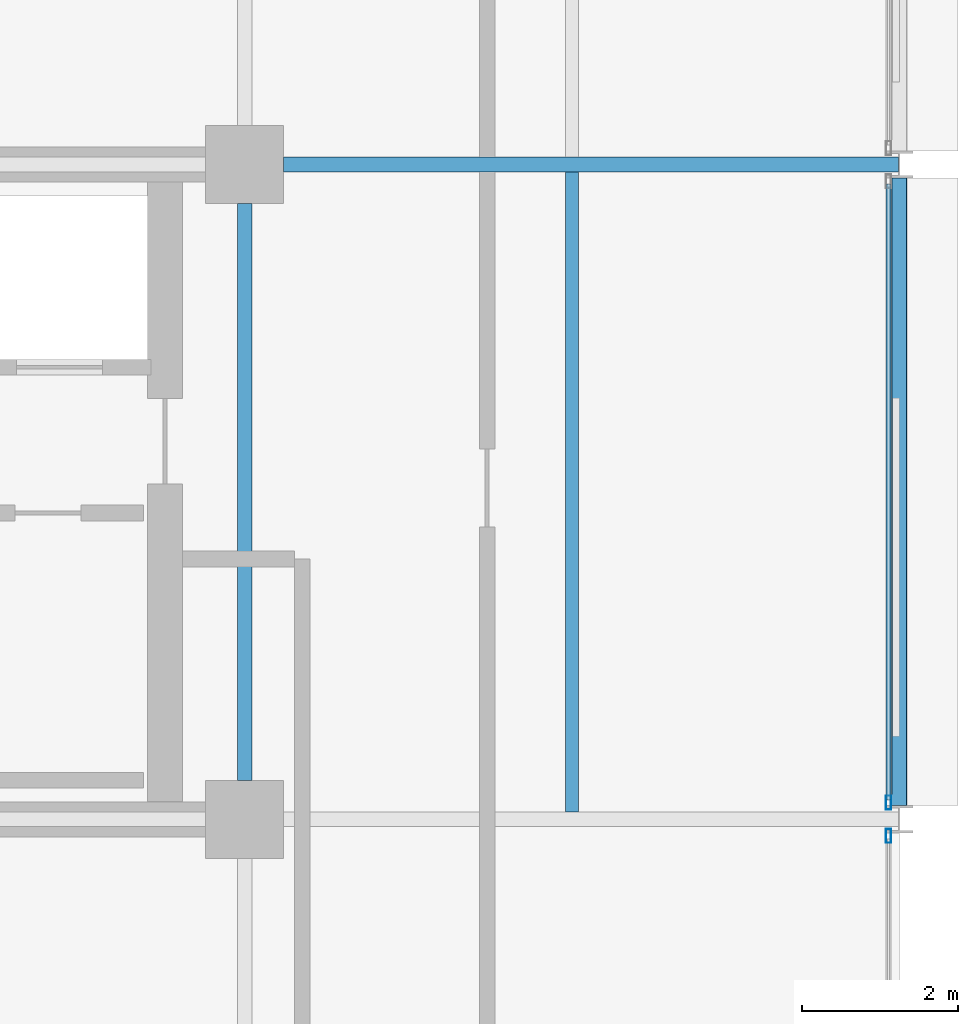
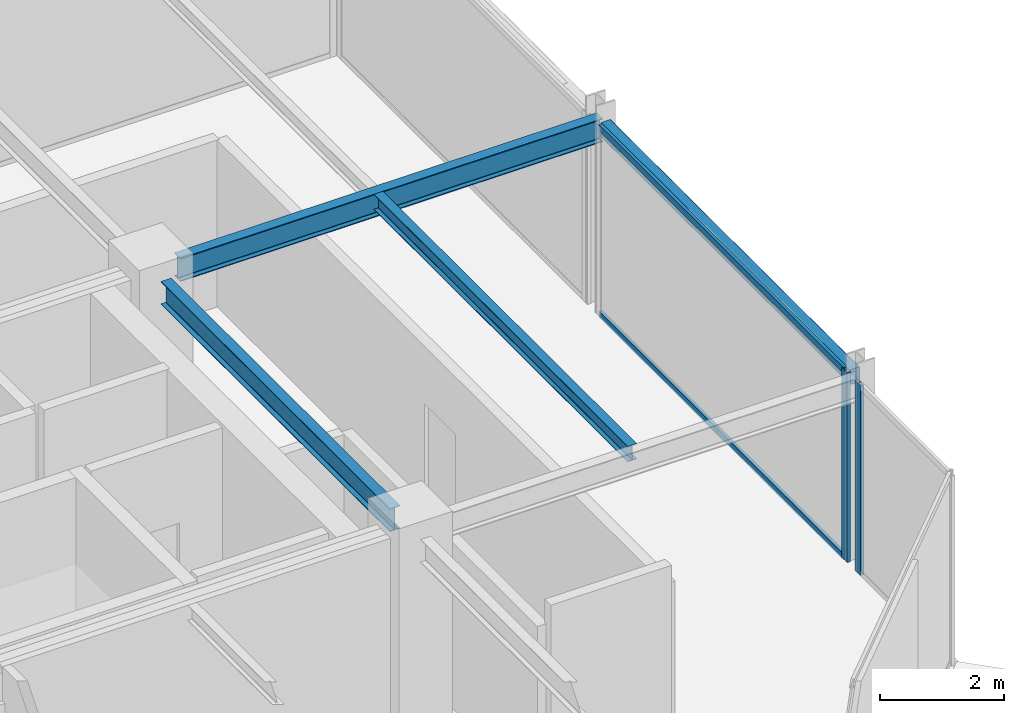
# One storey, part 14 of 26: 4 beams, 4 members, 2 elements without a shape of their own.
"""IFC4 building model written with IfcOpenShell, lengths in metres."""

import ifcopenshell
import ifcopenshell.guid

model = None  # the IFC model being written
_history = None  # IfcOwnerHistory: only IFC2X3 demands one
_inside = {}  # id of a spatial element -> (the spatial element, [elements in it])
_under = {}  # id of a project, library or spatial element -> (it, [spatial elements below it])
_declared = {}  # id of a project -> (the project, [libraries it declares])
_typed = {}  # id of a type object -> (the type object, [elements of that type])
_made_of = {}  # id of a material, layer set ... -> (it, [elements and type objects made of it])


def new_model(schema):
    """Start an empty IFC model of exactly this schema.

    Asked for "IFC4X3", IfcOpenShell would pick the latest addendum, in which some entities
    have other attributes; the version numbers below select the first issue.
    IFC2X3 requires an IfcOwnerHistory on every rooted entity: one is made here for all.
    """
    global model, _history
    if schema == "IFC4X3":
        model = ifcopenshell.file(schema_version=(4, 3, 0, 0))
    else:
        model = ifcopenshell.file(schema=schema)
    _inside.clear()
    _under.clear()
    _declared.clear()
    _typed.clear()
    _made_of.clear()
    _history = None
    if model.schema == "IFC2X3":
        org = make("IfcOrganization", Name="unknown")
        user = make(
            "IfcPersonAndOrganization",
            ThePerson=make("IfcPerson", FamilyName="unknown"),
            TheOrganization=org,
        )
        app = make(
            "IfcApplication",
            ApplicationDeveloper=org,
            Version="unknown",
            ApplicationFullName="unknown",
            ApplicationIdentifier="unknown",
        )
        _history = make(
            "IfcOwnerHistory",
            OwningUser=user,
            OwningApplication=app,
            ChangeAction="ADDED",
            CreationDate=0,
        )
    return model


def make(cls, **values):
    """One entity of the class cls with the attributes given. An attribute that is None is left unset."""
    return model.create_entity(
        cls, **{name: value for name, value in values.items() if value is not None}
    )


def rooted(cls, **values):
    """An entity with a GlobalId (a new one), such as an element, a storey or a relation."""
    return make(cls, GlobalId=ifcopenshell.guid.new(), OwnerHistory=_history, **values)


def si_unit(unit_type, name, prefix=None):
    """IfcSIUnit, for example si_unit("LENGTHUNIT", "METRE", prefix="MILLI")."""
    return make("IfcSIUnit", UnitType=unit_type, Prefix=prefix, Name=name)


def assignment(units):
    """IfcUnitAssignment: the units of a project."""
    return None if units is None else make("IfcUnitAssignment", Units=units)


def point(xyz):
    """IfcCartesianPoint."""
    return None if xyz is None else make("IfcCartesianPoint", Coordinates=xyz)


def direction(xyz):
    """IfcDirection."""
    return None if xyz is None else make("IfcDirection", DirectionRatios=xyz)


def frame(location, z_axis=None, x_axis=None):
    """IfcAxis2Placement3D, a coordinate frame: its origin and axes. An axis left out is left unset."""
    return make(
        "IfcAxis2Placement3D",
        Location=point(location),
        Axis=direction(z_axis),
        RefDirection=direction(x_axis),
    )


def frame_2d(location, x_axis=None):
    """IfcAxis2Placement2D, a coordinate frame in the plane: its origin and x axis."""
    return make(
        "IfcAxis2Placement2D", Location=point(location), RefDirection=direction(x_axis)
    )


def origin():
    """The frame at (0, 0, 0) with its axes left unset."""
    return frame((0.0, 0.0, 0.0))


def origin_2d():
    """The frame at (0, 0) in the plane with its x axis left unset."""
    return frame_2d((0.0, 0.0))


def place(relative_to, where):
    """IfcLocalPlacement: puts the frame where relative to a parent placement (None: the world)."""
    return make(
        "IfcLocalPlacement", PlacementRelTo=relative_to, RelativePlacement=where
    )


def context(
    kind, dimensions, precision=None, world=None, true_north=None, identifier=None
):
    """IfcGeometricRepresentationContext, for example the 3D "Model" context."""
    return make(
        "IfcGeometricRepresentationContext",
        ContextIdentifier=identifier,
        ContextType=kind,
        CoordinateSpaceDimension=dimensions,
        Precision=precision,
        WorldCoordinateSystem=world,
        TrueNorth=true_north,
    )


def subcontext(parent, identifier, kind, view, scale=None):
    """IfcGeometricRepresentationSubContext, for example "Body" below "Model"."""
    return make(
        "IfcGeometricRepresentationSubContext",
        ContextIdentifier=identifier,
        ContextType=kind,
        ParentContext=parent,
        TargetScale=scale,
        TargetView=view,
    )


def project(units=None, contexts=None):
    """IfcProject with its units and contexts."""
    return rooted(
        "IfcProject",
        Name="project",
        RepresentationContexts=contexts,
        UnitsInContext=assignment(units),
    )


def spatial(cls, under=None, at=None, **own):
    """A site, building, storey or space (cls), placed at a placement, below another one or the project."""
    s = rooted(cls, ObjectPlacement=at, **own)
    if under is not None:
        _under.setdefault(under.id(), (under, []))[1].append(s)
    return s


def profile(cls, at=None, kind="AREA", **sizes):
    """A parametric profile (cls). Its sizes go by their IFC names, for example OverallWidth=200.0."""
    return make(cls, ProfileType=kind, Position=at, **sizes)


def hollow_rectangle(**sizes):
    """IfcRectangleHollowProfileDef."""
    return profile("IfcRectangleHollowProfileDef", **sizes)


def i_section(**sizes):
    """IfcIShapeProfileDef."""
    return profile("IfcIShapeProfileDef", **sizes)


def extrude(swept, where, along, depth):
    """IfcExtrudedAreaSolid: the profile swept, set in the frame where, extruded along a direction by depth."""
    return make(
        "IfcExtrudedAreaSolid",
        SweptArea=swept,
        Position=where,
        ExtrudedDirection=direction(along),
        Depth=depth,
    )


def shape(context_of_items, identifier, shape_type, items):
    """IfcShapeRepresentation: the items that make up one representation, for example the "Body"."""
    return make(
        "IfcShapeRepresentation",
        ContextOfItems=context_of_items,
        RepresentationIdentifier=identifier,
        RepresentationType=shape_type,
        Items=items,
    )


def material(Name=None, Category=None):
    """IfcMaterial."""
    return make("IfcMaterial", Name=Name, Category=Category)


def layer(
    of_material, thickness, ventilated=None, Name=None, Category=None, Priority=None
):
    """IfcMaterialLayer: one layer of a wall or slab, of a material (None: an air gap)."""
    return make(
        "IfcMaterialLayer",
        Material=of_material,
        LayerThickness=thickness,
        IsVentilated=ventilated,
        Name=Name,
        Category=Category,
        Priority=Priority,
    )


def layer_set(layers, Name=None):
    """IfcMaterialLayerSet."""
    return make("IfcMaterialLayerSet", MaterialLayers=layers, LayerSetName=Name)


def material_profile(
    of_material, cross_section, Name=None, Category=None, Priority=None
):
    """IfcMaterialProfile: a cross section and its material."""
    return make(
        "IfcMaterialProfile",
        Name=Name,
        Material=of_material,
        Profile=cross_section,
        Priority=Priority,
        Category=Category,
    )


def profile_set(profiles, Name=None, composite=None):
    """IfcMaterialProfileSet."""
    return make(
        "IfcMaterialProfileSet",
        Name=Name,
        MaterialProfiles=profiles,
        CompositeProfile=composite,
    )


def made_of(thing, what):
    """Note that an element or type object is made of a material, layer set ...; save() writes the relation."""
    if what is not None:
        _made_of.setdefault(what.id(), (what, []))[1].append(thing)
    return thing


def type_object(cls, material=None, **own):
    """A type object (cls), such as IfcWallType, which elements share."""
    return made_of(rooted(cls, **own), material)


def element(
    cls,
    number,
    at=None,
    inside=None,
    cuts=None,
    type_object=None,
    material=None,
    context=None,
    identifier="Body",
    shape_type=None,
    held_by="IfcProductDefinitionShape",
    body=None,
    shapes=None,
    **own,
):
    """One element of the class cls, such as IfcWall. Its Tag is "e" and its number.

    at: its placement. inside: the storey or other place that contains it. cuts: it is an
    opening in that element (IfcRelVoidsElement). A single representation is given by context,
    identifier, shape_type and body (its items); several are given by shapes. held_by: the class
    of the entity that holds the representations. save() writes the other relations.
    """
    e = rooted(cls, Tag="e%d" % number, ObjectPlacement=at, **own)
    if body is not None:
        shapes = [shape(context, identifier, shape_type, body)]
    if shapes is not None:
        e.Representation = make(held_by, Representations=shapes)
    if inside is not None:
        _inside.setdefault(inside.id(), (inside, []))[1].append(e)
    if cuts is not None:
        rooted(
            "IfcRelVoidsElement", RelatingBuildingElement=cuts, RelatedOpeningElement=e
        )
    if type_object is not None:
        _typed.setdefault(type_object.id(), (type_object, []))[1].append(e)
    return made_of(e, material)


def aggregate(whole, parts):
    """IfcRelAggregates: a whole, such as a stair, and the parts it consists of."""
    return rooted("IfcRelAggregates", RelatingObject=whole, RelatedObjects=parts)


def save(model, path):
    """Write the relations noted so far, then the file.

    IfcRelAggregates (storeys below a building ...), IfcRelContainedInSpatialStructure (elements
    in a storey), IfcRelDefinesByType, IfcRelAssociatesMaterial and IfcRelDeclares: one each for
    every whole, place, type object, material and project.
    """
    for whole, parts in _under.values():
        aggregate(whole, parts)
    for where, things in _inside.values():
        rooted(
            "IfcRelContainedInSpatialStructure",
            RelatedElements=things,
            RelatingStructure=where,
        )
    for kind, things in _typed.values():
        rooted("IfcRelDefinesByType", RelatedObjects=things, RelatingType=kind)
    for what, things in _made_of.values():
        rooted("IfcRelAssociatesMaterial", RelatedObjects=things, RelatingMaterial=what)
    for by, libraries in _declared.values():
        rooted("IfcRelDeclares", RelatingContext=by, RelatedDefinitions=libraries)
    model.write(path)


model = new_model("IFC4")

# Units and contexts
model_context = context("Model", 3, precision=1e-05, world=origin(), true_north=direction((0.0, 1.0)))
body_context = subcontext(model_context, "Body", "Model", "MODEL_VIEW")
ifc_project = project(units=[si_unit("LENGTHUNIT", "METRE"), si_unit("AREAUNIT", "SQUARE_METRE"), si_unit("VOLUMEUNIT", "CUBIC_METRE"), si_unit("PLANEANGLEUNIT", "RADIAN"), si_unit("MASSUNIT", "GRAM", prefix="KILO")], contexts=[model_context])

# Site, building, storey
site_placement = place(None, origin())
site = spatial("IfcSite", under=ifc_project, at=site_placement, CompositionType="ELEMENT")
building_placement = place(site_placement, origin())
building = spatial("IfcBuilding", under=site, at=building_placement, Name="Nerrivon Quay Data Exchange", CompositionType="ELEMENT")
storey_placement = place(building_placement, frame((0.0, 0.0, 241.10009765625)))
storey = spatial("IfcBuildingStorey", under=building, at=storey_placement, Name="L57", CompositionType="ELEMENT", Elevation=241.10009765625)

# Beams
ifc_material_1 = material(Name="Steel Grade 350", Category="steel")
ifc_material_profile_1 = material_profile(ifc_material_1, i_section(OverallWidth=0.19091796875, OverallDepth=0.4599609375, WebThickness=0.010009765625, FlangeThickness=0.01611328125, FilletRadius=0.011474609375, at=origin_2d()), Name="460UB82.1")
ifc_profile_set_1 = profile_set([ifc_material_profile_1], Name="Steel Grade 350")
beam_type_1 = type_object("IfcBeamType", Name="BM-G5-460UB82", PredefinedType="BEAM", material=ifc_profile_set_1)
beam_1_placement = place(storey_placement, frame((34.10009765625, 16.800048828125, 3.52001953125), z_axis=(1.0, 0.0, 0.0), x_axis=(0.0, 1.0, 0.0)))
element("IfcBeam", 1, at=beam_1_placement, inside=storey, type_object=beam_type_1, Name="L57 EW Girder Y=16.8 (33.6..42.0)", PredefinedType="BEAM", context=body_context, shape_type="SweptSolid", body=[
    extrude(i_section(OverallWidth=0.19091796875, OverallDepth=0.4599609375, WebThickness=0.010009765625, FlangeThickness=0.01611328125, FilletRadius=0.011474609375, at=origin_2d()), origin(), (0.0, 0.0, 1.0), 7.889892578125),
])
ifc_material_profile_2 = material_profile(ifc_material_1, i_section(OverallWidth=0.18994140625, OverallDepth=0.4541015625, WebThickness=0.008544921875, FlangeThickness=0.0126953125, FilletRadius=0.011474609375, at=origin_2d()), Name="460UB67.1")
ifc_profile_set_2 = profile_set([ifc_material_profile_2], Name="Steel Grade 350")
beam_type_2 = type_object("IfcBeamType", Name="BM-G6-460UB67", PredefinedType="BEAM", material=ifc_profile_set_2)
beam_2_placement = place(storey_placement, frame((33.60009765625, 8.89990234375, 3.52294921875), z_axis=(0.0, 1.0, 0.0), x_axis=(-1.0, 0.0, 0.0)))
element("IfcBeam", 2, at=beam_2_placement, inside=storey, type_object=beam_type_2, Name="L57 NS Girder X=33.6 (8.4..16.8)", PredefinedType="BEAM", context=body_context, shape_type="SweptSolid", body=[
    extrude(i_section(OverallWidth=0.18994140625, OverallDepth=0.4541015625, WebThickness=0.008544921875, FlangeThickness=0.0126953125, FilletRadius=0.011474609375, at=origin_2d()), origin(), (0.0, 0.0, 1.0), 7.400146484375),
])
ifc_material_profile_3 = material_profile(ifc_material_1, i_section(OverallWidth=0.166015625, OverallDepth=0.306884765625, WebThickness=0.006591796875, FlangeThickness=0.01171875, FilletRadius=0.011474609375, at=origin_2d()), Name="310UB46.2")
ifc_profile_set_3 = profile_set([ifc_material_profile_3], Name="Steel Grade 350")
beam_type_3 = type_object("IfcBeamType", Name="BM-J5-310UB46", PredefinedType="JOIST", material=ifc_profile_set_3)
beam_3_placement = place(storey_placement, frame((37.800048828125, 8.49560546875, 3.596435546875), z_axis=(0.0, 1.0, 0.0), x_axis=(-1.0, 0.0, 0.0)))
element("IfcBeam", 3, at=beam_3_placement, inside=storey, type_object=beam_type_3, Name="L57 Secondary Joist X=37.8 (8.4..16.8)", PredefinedType="JOIST", context=body_context, shape_type="SweptSolid", body=[
    extrude(i_section(OverallWidth=0.166015625, OverallDepth=0.306884765625, WebThickness=0.006591796875, FlangeThickness=0.01171875, FilletRadius=0.011474609375, at=origin_2d()), origin(), (0.0, 0.0, 1.0), 8.208984375),
])
ifc_material_2 = material(Name="Steel Grade C350L0 (350 MPa)", Category="steel")
ifc_material_profile_4 = material_profile(ifc_material_2, hollow_rectangle(XDim=0.199951171875, YDim=0.300048828125, WallThickness=0.012451171875, InnerFilletRadius=0.018798828125, OuterFilletRadius=0.03125, at=origin_2d()), Name="300x200x12.5RHS")
ifc_profile_set_4 = profile_set([ifc_material_profile_4], Name="Steel Grade C350L0 (350 MPa)")
beam_type_4 = type_object("IfcBeamType", Name="BM-SP3-300x200RHS", PredefinedType="SPANDREL", material=ifc_profile_set_4)
beam_4_placement = place(storey_placement, frame((42.0, 8.574951171875, 3.599853515625), z_axis=(0.0, 1.0, 0.0), x_axis=(-1.0, 0.0, 0.0)))
element("IfcBeam", 4, at=beam_4_placement, inside=storey, type_object=beam_type_4, Name="L57 NS Girder X=42.0 (8.4..16.8)", PredefinedType="SPANDREL", context=body_context, shape_type="SweptSolid", body=[
    extrude(hollow_rectangle(XDim=0.199951171875, YDim=0.300048828125, WallThickness=0.012451171875, InnerFilletRadius=0.018798828125, OuterFilletRadius=0.03125, at=origin_2d()), origin(), (0.0, 0.0, 1.0), 8.050048828125),
])

# Curtain wall, member
ifc_material_3 = material(Name="Anodised aluminium 6063-T6", Category="aluminium")
ifc_layer = layer(ifc_material_3, 0.195068359375)
ifc_layer_set = layer_set([ifc_layer], Name="Anodised aluminium 6063-T6")
curtain_wall_type = type_object("IfcCurtainWallType", Name="CW-SYS-06", PredefinedType="NOTDEFINED", material=ifc_layer_set)
curtain_wall_1_placement = place(storey_placement, origin())
curtain_wall_1 = element("IfcCurtainWall", 5, at=curtain_wall_1_placement, inside=storey, type_object=curtain_wall_type, Name="L57 Unitised Curtain Wall 27", PredefinedType="NOTDEFINED")
ifc_material_profile_5 = material_profile(ifc_material_3, hollow_rectangle(XDim=0.06494140625, YDim=0.179931640625, WallThickness=0.00341796875, at=origin_2d()), Name="ALU-MULL-180x65")
ifc_profile_set_5 = profile_set([ifc_material_profile_5], Name="Anodised aluminium 6063-T6")
member_type_1 = type_object("IfcMemberType", Name="CWM-180x65", PredefinedType="MULLION", material=ifc_profile_set_5)
member_1_placement = place(storey_placement, frame((41.860107421875, 8.612548828125, 0.0), z_axis=(0.0, 0.0, 1.0), x_axis=(1.0, 0.0, 0.0)))
member_1 = element("IfcMember", 6, at=member_1_placement, type_object=member_type_1, Name="CW06 mullion 2", PredefinedType="MULLION", context=body_context, shape_type="SweptSolid", body=[
    extrude(hollow_rectangle(XDim=0.06494140625, YDim=0.179931640625, WallThickness=0.00341796875, at=origin_2d()), origin(), (0.0, 0.0, 1.0), 3.75),
])

curtain_wall_2_placement = place(storey_placement, origin())
curtain_wall_2 = element("IfcCurtainWall", 7, at=curtain_wall_2_placement, inside=storey, type_object=curtain_wall_type, Name="L57 Unitised Curtain Wall 28", PredefinedType="NOTDEFINED")
member_2_placement = place(storey_placement, frame((41.860107421875, 8.1875, 0.0), z_axis=(0.0, 0.0, 1.0), x_axis=(1.0, 0.0, 0.0)))
member_2 = element("IfcMember", 8, at=member_2_placement, type_object=member_type_1, Name="CW06 mullion 1", PredefinedType="MULLION", context=body_context, shape_type="SweptSolid", body=[
    extrude(hollow_rectangle(XDim=0.06494140625, YDim=0.179931640625, WallThickness=0.00341796875, at=origin_2d()), origin(), (0.0, 0.0, 1.0), 3.75),
])
aggregate(curtain_wall_2, [member_2])

# Member
ifc_material_profile_6 = material_profile(ifc_material_3, hollow_rectangle(XDim=0.06005859375, YDim=0.1201171875, WallThickness=0.003173828125, at=origin_2d()), Name="ALU-TRAN-120x60")
ifc_profile_set_6 = profile_set([ifc_material_profile_6], Name="Anodised aluminium 6063-T6")
member_type_2 = type_object("IfcMemberType", Name="CWT-120x60", PredefinedType="USERDEFINED", material=ifc_profile_set_6)
member_3_placement = place(storey_placement, frame((41.860107421875, 16.550048828125, 0.032470703125), z_axis=(0.0, -1.0, 0.0), x_axis=(1.0, 0.0, 0.0)))
member_3 = element("IfcMember", 9, at=member_3_placement, type_object=member_type_2, Name="CW06 transom 1.1", ObjectType="TRANSOM", PredefinedType="USERDEFINED", context=body_context, shape_type="SweptSolid", body=[
    extrude(hollow_rectangle(XDim=0.06005859375, YDim=0.1201171875, WallThickness=0.003173828125, at=origin_2d()), origin(), (0.0, 0.0, 1.0), 7.900146484375),
])

member_4_placement = place(storey_placement, frame((41.860107421875, 16.550048828125, 3.71728515625), z_axis=(0.0, -1.0, 0.0), x_axis=(1.0, 0.0, 0.0)))
member_4 = element("IfcMember", 10, at=member_4_placement, type_object=member_type_2, Name="CW06 transom 1.2", ObjectType="TRANSOM", PredefinedType="USERDEFINED", context=body_context, shape_type="SweptSolid", body=[
    extrude(hollow_rectangle(XDim=0.06005859375, YDim=0.1201171875, WallThickness=0.003173828125, at=origin_2d()), origin(), (0.0, 0.0, 1.0), 7.900146484375),
])

aggregate(curtain_wall_1, [member_1, member_3, member_4])

save(model, "model.ifc")
